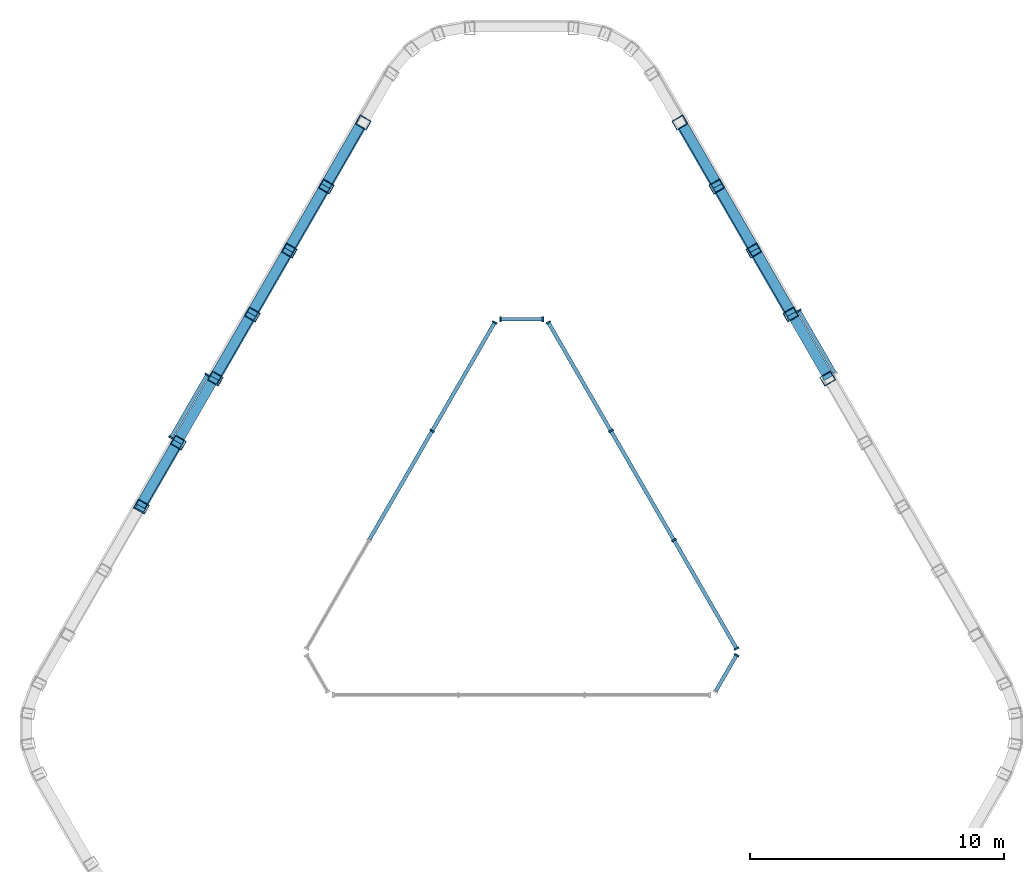
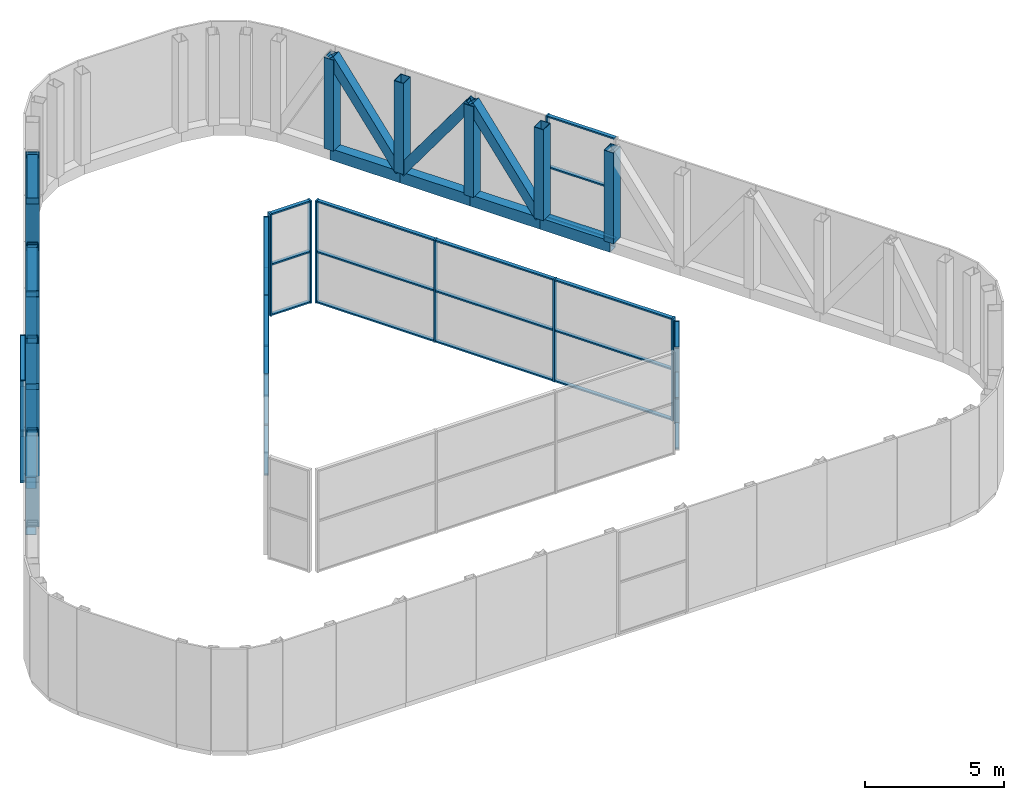
# One storey, part 2 of 5: 69 members, 6 elements without a shape of their own.
"""IFC4 building model written with IfcOpenShell, lengths in metres."""

from ifc_helpers import new_model, si_unit, direction, frame, origin, origin_2d, place, context, subcontext, project, spatial, rectangle, hollow_rectangle, extrude, material, layer, layer_set, material_profile, profile_set, type_object, element, aggregate, save


model = new_model("IFC4")

# Units and contexts
model_context = context("Model", 3, precision=1e-05, world=origin(), true_north=direction((0.0, 1.0)))
body_context = subcontext(model_context, "Body", "Model", "MODEL_VIEW")
ifc_project = project(units=[si_unit("LENGTHUNIT", "METRE"), si_unit("AREAUNIT", "SQUARE_METRE"), si_unit("VOLUMEUNIT", "CUBIC_METRE"), si_unit("PLANEANGLEUNIT", "RADIAN"), si_unit("MASSUNIT", "GRAM", prefix="KILO")], contexts=[model_context])

# Site, building, storey
site_placement = place(None, origin())
site = spatial("IfcSite", under=ifc_project, at=site_placement, CompositionType="ELEMENT")
building_placement = place(site_placement, origin())
building = spatial("IfcBuilding", under=site, at=building_placement, Name="Apuvela Tower Hotel", CompositionType="ELEMENT")
storey_placement = place(building_placement, frame((0.0, 0.0, 362.300048828125)))
storey = spatial("IfcBuildingStorey", under=building, at=storey_placement, Name="R-5 ROOF", CompositionType="ELEMENT", Elevation=362.300048828125)

# Members
ifc_material_1 = material(Name="Steel S355, black paint system", Category="steel")
ifc_material_profile_1 = material_profile(ifc_material_1, hollow_rectangle(XDim=0.39990234375, YDim=0.39990234375, WallThickness=0.01611328125, at=origin_2d()), Name="HSS 400x400x16")
ifc_profile_set_1 = profile_set([ifc_material_profile_1], Name="Steel S355, black paint system")
member_type_1 = type_object("IfcMemberType", Name="ENV-CROWN-BRACE-400x400", PredefinedType="BRACE", material=ifc_profile_set_1)
for number, where, z_axis, x_axis, name in (
    (1, (-7.6923828125, 14.528564453125, 0.25), (0.294239887517, 0.50972631864, 0.808456534811), (-0.866062731661, 0.499935340648, 0.0), "Crown frame brace 8"),
    (2, (-7.6923828125, 14.528564453125, 0.25), (-0.294292360305, -0.509682392621, 0.808465129315), (0.866005469285, -0.500034525977, 0.0), "Crown frame brace 9"),
    (3, (-10.6044921875, 9.485107421875, 0.25), (0.294292360305, 0.509682392621, 0.808465129315), (-0.866005469285, 0.500034525977, 0.0), "Crown frame brace 10"),
    (4, (-10.6044921875, 9.485107421875, 0.25), (-0.294239887517, -0.50972631864, 0.808456534811), (0.866062731661, -0.499935340648, 0.0), "Crown frame brace 11"),
    (5, (-13.516357421875, 4.441162109375, 0.25), (-0.294292360305, -0.509682392621, 0.808465129315), (0.866005469285, -0.500034525977, 0.0), "Crown frame brace 13"),
    (6, (10.6044921875, 9.485107421875, 0.25), (-0.294292360305, 0.509682392621, 0.808465129315), (-0.866005469285, -0.500034525977, 0.0), "Crown frame brace 47"),
    (7, (7.6923828125, 14.528564453125, 0.25), (0.294292360305, -0.509682392621, 0.808465129315), (0.866005469285, 0.500034525977, 0.0), "Crown frame brace 48"),
    (8, (7.6923828125, 14.528564453125, 0.25), (-0.294239887517, 0.50972631864, 0.808456534811), (-0.866062731661, -0.499935340648, 0.0), "Crown frame brace 49"),
):
    element("IfcMember", number, at=place(storey_placement, frame(where, z_axis=z_axis, x_axis=x_axis)), inside=storey, type_object=member_type_1, Name=name, PredefinedType="BRACE", context=body_context, shape_type="SweptSolid", body=[
        extrude(hollow_rectangle(XDim=0.39990234375, YDim=0.39990234375, WallThickness=0.01611328125, at=origin_2d()), origin(), (0.0, 0.0, 1.0), 4.94775390625),
    ])
ifc_material_profile_2 = material_profile(ifc_material_1, hollow_rectangle(XDim=0.39990234375, YDim=0.5, WallThickness=0.02001953125, at=origin_2d()), Name="HSS 500x400x20")
ifc_profile_set_2 = profile_set([ifc_material_profile_2], Name="Steel S355, black paint system")
member_type_2 = type_object("IfcMemberType", Name="ENV-CROWN-POST-500x400", PredefinedType="POST", material=ifc_profile_set_2)
for number, where, z_axis, x_axis, name in (
    (9, (-6.236572265625, 17.050537109375, 0.25), (0.0, 0.0, 1.0), (-0.5, -0.866025403784, 0.0), "Crown frame post 8"),
    (10, (-7.6923828125, 14.528564453125, 0.25), (0.0, 0.0, 1.0), (-0.5, -0.866025403784, 0.0), "Crown frame post 9"),
    (11, (-9.1484375, 12.0068359375, 0.25), (0.0, 0.0, 1.0), (-0.5, -0.866025403784, 0.0), "Crown frame post 10"),
    (12, (-10.6044921875, 9.485107421875, 0.25), (0.0, 0.0, 1.0), (-0.5, -0.866025403784, 0.0), "Crown frame post 11"),
    (13, (-12.060302734375, 6.963134765625, 0.25), (0.0, 0.0, 1.0), (-0.5, -0.866025403784, 0.0), "Crown frame post 12"),
    (14, (-13.516357421875, 4.441162109375, 0.25), (0.0, 0.0, 1.0), (-0.5, -0.866025403784, 0.0), "Crown frame post 13"),
    (15, (-14.972412109375, 1.91943359375, 0.25), (0.0, 0.0, 1.0), (-0.5, -0.866025403784, 0.0), "Crown frame post 14"),
    (16, (12.060302734375, 6.963134765625, 0.25), (0.0, 0.0, 1.0), (-0.5, 0.866025403784, 0.0), "Crown frame post 46"),
    (17, (10.6044921875, 9.485107421875, 0.25), (0.0, 0.0, 1.0), (-0.5, 0.866025403784, 0.0), "Crown frame post 47"),
    (18, (9.1484375, 12.0068359375, 0.25), (0.0, 0.0, 1.0), (-0.5, 0.866025403784, 0.0), "Crown frame post 48"),
    (19, (7.6923828125, 14.528564453125, 0.25), (0.0, 0.0, 1.0), (-0.5, 0.866025403784, 0.0), "Crown frame post 49"),
    (20, (6.236572265625, 17.050537109375, 0.25), (0.0, 0.0, 1.0), (-0.5, 0.866025403784, 0.0), "Crown frame post 50"),
):
    element("IfcMember", number, at=place(storey_placement, frame(where, z_axis=z_axis, x_axis=x_axis)), inside=storey, type_object=member_type_2, Name=name, PredefinedType="POST", context=body_context, shape_type="SweptSolid", body=[
        extrude(hollow_rectangle(XDim=0.39990234375, YDim=0.5, WallThickness=0.02001953125, at=origin_2d()), origin(), (0.0, 0.0, 1.0), 4.0),
    ])
ifc_material_profile_3 = material_profile(ifc_material_1, hollow_rectangle(XDim=0.39990234375, YDim=0.5, WallThickness=0.01611328125, at=origin_2d()), Name="HSS 500x400x16")
ifc_profile_set_3 = profile_set([ifc_material_profile_3], Name="Steel S355, black paint system")
member_type_3 = type_object("IfcMemberType", Name="ENV-CROWN-RING-500x400", PredefinedType="STRINGER", material=ifc_profile_set_3)
member_1_placement = place(storey_placement, frame((-6.27783203125, 17.07861328125, 0.0), z_axis=(-0.500015065024, -0.866016705814, 0.0), x_axis=(0.866016705814, -0.500015065024, 0.0)))
element("IfcMember", 21, at=member_1_placement, inside=storey, type_object=member_type_3, Name="Crown frame ring beam 5.8", PredefinedType="STRINGER", context=body_context, shape_type="SweptSolid", body=[
    extrude(hollow_rectangle(XDim=0.39990234375, YDim=0.5, WallThickness=0.01611328125, at=origin_2d()), origin(), (0.0, 0.0, 1.0), 2.9130859375),
])
for number, where, z_axis, x_axis, name in (
    (22, (-7.734375, 14.555908203125, 0.0), (-0.500051359076, -0.865995749577, 0.0), (0.865995749577, -0.500051359076, 0.0), "Crown frame ring beam 5.9"),
    (23, (-9.19091796875, 12.033447265625, 0.0), (-0.499952204256, -0.866052996912, 0.0), (0.866052996912, -0.499952204256, 0.0), "Crown frame ring beam 5.10"),
):
    element("IfcMember", number, at=place(storey_placement, frame(where, z_axis=z_axis, x_axis=x_axis)), inside=storey, type_object=member_type_3, Name=name, PredefinedType="STRINGER", context=body_context, shape_type="SweptSolid", body=[
        extrude(hollow_rectangle(XDim=0.39990234375, YDim=0.5, WallThickness=0.01611328125, at=origin_2d()), origin(), (0.0, 0.0, 1.0), 2.912841796875),
    ])
for number, where, z_axis, x_axis, name in (
    (24, (-10.647216796875, 9.5107421875, 0.0), (-0.500015065024, -0.866016705814, 0.0), (0.866016705814, -0.500015065024, 0.0), "Crown frame ring beam 5.11"),
    (25, (-12.103759765625, 6.988037109375, 0.0), (-0.500015065024, -0.866016705814, 0.0), (0.866016705814, -0.500015065024, 0.0), "Crown frame ring beam 5.12"),
):
    element("IfcMember", number, at=place(storey_placement, frame(where, z_axis=z_axis, x_axis=x_axis)), inside=storey, type_object=member_type_3, Name=name, PredefinedType="STRINGER", context=body_context, shape_type="SweptSolid", body=[
        extrude(hollow_rectangle(XDim=0.39990234375, YDim=0.5, WallThickness=0.01611328125, at=origin_2d()), origin(), (0.0, 0.0, 1.0), 2.9130859375),
    ])
member_2_placement = place(storey_placement, frame((-13.560302734375, 4.46533203125, 0.0), z_axis=(-0.499988496788, -0.866032045065, 0.0), x_axis=(0.866032045065, -0.499988496788, 0.0)))
element("IfcMember", 26, at=member_2_placement, inside=storey, type_object=member_type_3, Name="Crown frame ring beam 5.13", PredefinedType="STRINGER", context=body_context, shape_type="SweptSolid", body=[
    extrude(hollow_rectangle(XDim=0.39990234375, YDim=0.5, WallThickness=0.01611328125, at=origin_2d()), origin(), (0.0, 0.0, 1.0), 2.91259765625),
])
member_3_placement = place(storey_placement, frame((12.103759765625, 6.988037109375, 0.0), z_axis=(-0.500015065024, 0.866016705814, 0.0), x_axis=(-0.866016705814, -0.500015065024, 0.0)))
element("IfcMember", 27, at=member_3_placement, inside=storey, type_object=member_type_3, Name="Crown frame ring beam 5.46", PredefinedType="STRINGER", context=body_context, shape_type="SweptSolid", body=[
    extrude(hollow_rectangle(XDim=0.39990234375, YDim=0.5, WallThickness=0.01611328125, at=origin_2d()), origin(), (0.0, 0.0, 1.0), 2.9130859375),
])
for number, where, z_axis, x_axis, name in (
    (28, (10.647216796875, 9.5107421875, 0.0), (-0.499952204256, 0.866052996912, 0.0), (-0.866052996912, -0.499952204256, 0.0), "Crown frame ring beam 5.47"),
    (29, (9.19091796875, 12.033447265625, 0.0), (-0.500051359076, 0.865995749577, 0.0), (-0.865995749577, -0.500051359076, 0.0), "Crown frame ring beam 5.48"),
):
    element("IfcMember", number, at=place(storey_placement, frame(where, z_axis=z_axis, x_axis=x_axis)), inside=storey, type_object=member_type_3, Name=name, PredefinedType="STRINGER", context=body_context, shape_type="SweptSolid", body=[
        extrude(hollow_rectangle(XDim=0.39990234375, YDim=0.5, WallThickness=0.01611328125, at=origin_2d()), origin(), (0.0, 0.0, 1.0), 2.912841796875),
    ])
member_4_placement = place(storey_placement, frame((7.734375, 14.555908203125, 0.0), z_axis=(-0.500015065024, 0.866016705814, 0.0), x_axis=(-0.866016705814, -0.500015065024, 0.0)))
element("IfcMember", 30, at=member_4_placement, inside=storey, type_object=member_type_3, Name="Crown frame ring beam 5.49", PredefinedType="STRINGER", context=body_context, shape_type="SweptSolid", body=[
    extrude(hollow_rectangle(XDim=0.39990234375, YDim=0.5, WallThickness=0.01611328125, at=origin_2d()), origin(), (0.0, 0.0, 1.0), 2.9130859375),
])

# Curtain wall, members
ifc_material_2 = material(Name="Aluminium 6063-T6, dark bronze anodised", Category="aluminium")
ifc_layer_1 = layer(ifc_material_2, 0.199951171875)
ifc_layer_set_1 = layer_set([ifc_layer_1], Name="ENV-CW-C")
curtain_wall_type_1 = type_object("IfcCurtainWallType", Name="ENV-CW-C", PredefinedType="NOTDEFINED", material=ifc_layer_set_1)
curtain_wall_1_placement = place(storey_placement, origin())
curtain_wall_1 = element("IfcCurtainWall", 31, at=curtain_wall_1_placement, inside=storey, type_object=curtain_wall_type_1, Name="Crown glazing 12 R-5 ROOF", PredefinedType="NOTDEFINED")
ifc_material_profile_4 = material_profile(ifc_material_2, rectangle(XDim=0.199951171875, YDim=0.06494140625, at=origin_2d()), Name="AL 65x200")
ifc_profile_set_4 = profile_set([ifc_material_profile_4], Name="Aluminium 6063-T6, dark bronze anodised")
member_type_4 = type_object("IfcMemberType", Name="ENV-MULLION-65x200", PredefinedType="MULLION", material=ifc_profile_set_4)
member_5_placement = place(storey_placement, frame((-12.3798828125, 7.10986328125, 0.0), z_axis=(0.0, 0.0, 1.0), x_axis=(0.866036603266, -0.499980601426, 0.0)))
member_5 = element("IfcMember", 32, at=member_5_placement, type_object=member_type_4, Name="CW-C mullion 1", PredefinedType="MULLION", context=body_context, shape_type="SweptSolid", body=[
    extrude(rectangle(XDim=0.199951171875, YDim=0.06494140625, at=origin_2d()), origin(), (0.0, 0.0, 1.0), 4.5),
])
member_6_placement = place(storey_placement, frame((-13.805908203125, 4.6396484375, 0.0), z_axis=(0.0, 0.0, 1.0), x_axis=(0.866036603266, -0.499980601426, 0.0)))
member_6 = element("IfcMember", 33, at=member_6_placement, type_object=member_type_4, Name="CW-C mullion 2", PredefinedType="MULLION", context=body_context, shape_type="SweptSolid", body=[
    extrude(rectangle(XDim=0.199951171875, YDim=0.06494140625, at=origin_2d()), origin(), (0.0, 0.0, 1.0), 4.5),
])

# Curtain wall, member
curtain_wall_2_placement = place(storey_placement, origin())
curtain_wall_2 = element("IfcCurtainWall", 34, at=curtain_wall_2_placement, inside=storey, type_object=curtain_wall_type_1, Name="Crown glazing 46 R-5 ROOF", PredefinedType="NOTDEFINED")
member_7_placement = place(storey_placement, frame((10.921142578125, 9.636474609375, 0.0), z_axis=(0.0, 0.0, 1.0), x_axis=(-0.866021760657, -0.500006310028, 0.0)))
member_7 = element("IfcMember", 35, at=member_7_placement, type_object=member_type_4, Name="CW-C mullion 2", PredefinedType="MULLION", context=body_context, shape_type="SweptSolid", body=[
    extrude(rectangle(XDim=0.199951171875, YDim=0.06494140625, at=origin_2d()), origin(), (0.0, 0.0, 1.0), 4.5),
])

# Curtain wall, members
ifc_layer_2 = layer(ifc_material_2, 0.199951171875)
ifc_layer_set_2 = layer_set([ifc_layer_2], Name="ENV-CW-A")
curtain_wall_type_2 = type_object("IfcCurtainWallType", Name="ENV-CW-A", PredefinedType="NOTDEFINED", material=ifc_layer_set_2)
curtain_wall_3_placement = place(storey_placement, origin())
curtain_wall_3 = element("IfcCurtainWall", 36, at=curtain_wall_3_placement, inside=storey, type_object=curtain_wall_type_2, Name="Atrium glazing 1 R-5 ROOF", PredefinedType="NOTDEFINED")
member_8_placement = place(storey_placement, frame((0.83349609375, 9.300048828125, 0.0), z_axis=(0.0, 0.0, 1.0), x_axis=(0.0, -1.0, 0.0)))
member_8 = element("IfcMember", 37, at=member_8_placement, type_object=member_type_4, Name="CW-A mullion 1", PredefinedType="MULLION", context=body_context, shape_type="SweptSolid", body=[
    extrude(rectangle(XDim=0.199951171875, YDim=0.06494140625, at=origin_2d()), origin(), (0.0, 0.0, 1.0), 4.5),
])
member_9_placement = place(storey_placement, frame((-0.83349609375, 9.300048828125, 0.0), z_axis=(0.0, 0.0, 1.0), x_axis=(0.0, -1.0, 0.0)))
member_9 = element("IfcMember", 38, at=member_9_placement, type_object=member_type_4, Name="CW-A mullion 2", PredefinedType="MULLION", context=body_context, shape_type="SweptSolid", body=[
    extrude(rectangle(XDim=0.199951171875, YDim=0.06494140625, at=origin_2d()), origin(), (0.0, 0.0, 1.0), 4.5),
])

curtain_wall_4_placement = place(storey_placement, origin())
curtain_wall_4 = element("IfcCurtainWall", 39, at=curtain_wall_4_placement, inside=storey, type_object=curtain_wall_type_2, Name="Atrium glazing 2 R-5 ROOF", PredefinedType="NOTDEFINED")
member_10_placement = place(storey_placement, frame((-1.055419921875, 9.171875, 0.0), z_axis=(0.0, 0.0, 1.0), x_axis=(0.866025940778, -0.499999069899, 0.0)))
member_10 = element("IfcMember", 40, at=member_10_placement, type_object=member_type_4, Name="CW-A mullion 1", PredefinedType="MULLION", context=body_context, shape_type="SweptSolid", body=[
    extrude(rectangle(XDim=0.199951171875, YDim=0.06494140625, at=origin_2d()), origin(), (0.0, 0.0, 1.0), 4.5),
])
member_11_placement = place(storey_placement, frame((-3.521728515625, 4.89990234375, 0.0), z_axis=(0.0, 0.0, 1.0), x_axis=(0.866025940778, -0.499999069899, 0.0)))
member_11 = element("IfcMember", 41, at=member_11_placement, type_object=member_type_4, Name="CW-A mullion 2", PredefinedType="MULLION", context=body_context, shape_type="SweptSolid", body=[
    extrude(rectangle(XDim=0.199951171875, YDim=0.06494140625, at=origin_2d()), origin(), (0.0, 0.0, 1.0), 4.5),
])

# Curtain wall, member
curtain_wall_5_placement = place(storey_placement, origin())
curtain_wall_5 = element("IfcCurtainWall", 42, at=curtain_wall_5_placement, inside=storey, type_object=curtain_wall_type_2, Name="Atrium glazing 5 R-5 ROOF", PredefinedType="NOTDEFINED")
member_12_placement = place(storey_placement, frame((8.470703125, -3.92822265625, 0.0), z_axis=(0.0, 0.0, 1.0), x_axis=(-0.866031754706, 0.49998899972, 0.0)))
member_12 = element("IfcMember", 43, at=member_12_placement, type_object=member_type_4, Name="CW-A mullion 2", PredefinedType="MULLION", context=body_context, shape_type="SweptSolid", body=[
    extrude(rectangle(XDim=0.199951171875, YDim=0.06494140625, at=origin_2d()), origin(), (0.0, 0.0, 1.0), 4.5),
])

# Curtain wall, members
curtain_wall_6_placement = place(storey_placement, origin())
curtain_wall_6 = element("IfcCurtainWall", 44, at=curtain_wall_6_placement, inside=storey, type_object=curtain_wall_type_2, Name="Atrium glazing 6 R-5 ROOF", PredefinedType="NOTDEFINED")
member_13_placement = place(storey_placement, frame((8.470703125, -3.671875, 0.0), z_axis=(0.0, 0.0, 1.0), x_axis=(-0.866025940778, -0.499999069899, 0.0)))
member_13 = element("IfcMember", 45, at=member_13_placement, type_object=member_type_4, Name="CW-A mullion 1", PredefinedType="MULLION", context=body_context, shape_type="SweptSolid", body=[
    extrude(rectangle(XDim=0.199951171875, YDim=0.06494140625, at=origin_2d()), origin(), (0.0, 0.0, 1.0), 4.5),
])
member_14_placement = place(storey_placement, frame((6.00439453125, 0.60009765625, 0.0), z_axis=(0.0, 0.0, 1.0), x_axis=(-0.866025940778, -0.499999069899, 0.0)))
member_14 = element("IfcMember", 46, at=member_14_placement, type_object=member_type_4, Name="CW-A mullion 2", PredefinedType="MULLION", context=body_context, shape_type="SweptSolid", body=[
    extrude(rectangle(XDim=0.199951171875, YDim=0.06494140625, at=origin_2d()), origin(), (0.0, 0.0, 1.0), 4.5),
])
member_15_placement = place(storey_placement, frame((3.521728515625, 4.89990234375, 0.0), z_axis=(0.0, 0.0, 1.0), x_axis=(-0.866025940778, -0.499999069899, 0.0)))
member_15 = element("IfcMember", 47, at=member_15_placement, type_object=member_type_4, Name="CW-A mullion 3", PredefinedType="MULLION", context=body_context, shape_type="SweptSolid", body=[
    extrude(rectangle(XDim=0.199951171875, YDim=0.06494140625, at=origin_2d()), origin(), (0.0, 0.0, 1.0), 4.5),
])
member_16_placement = place(storey_placement, frame((1.055419921875, 9.171875, 0.0), z_axis=(0.0, 0.0, 1.0), x_axis=(-0.866025940778, -0.499999069899, 0.0)))
member_16 = element("IfcMember", 48, at=member_16_placement, type_object=member_type_4, Name="CW-A mullion 4", PredefinedType="MULLION", context=body_context, shape_type="SweptSolid", body=[
    extrude(rectangle(XDim=0.199951171875, YDim=0.06494140625, at=origin_2d()), origin(), (0.0, 0.0, 1.0), 4.5),
])

# Member
ifc_material_profile_5 = material_profile(ifc_material_2, rectangle(XDim=0.14990234375, YDim=0.06494140625, at=origin_2d()), Name="AL 65x150 transom")
ifc_profile_set_5 = profile_set([ifc_material_profile_5], Name="Aluminium 6063-T6, dark bronze anodised")
member_type_5 = type_object("IfcMemberType", Name="ENV-TRANSOM-65x150", PredefinedType="USERDEFINED", material=ifc_profile_set_5)
member_17_placement = place(storey_placement, frame((-12.39599609375, 7.081787109375, 0.032470703125), z_axis=(-0.500048472683, -0.865997416259, 0.0), x_axis=(0.865997416259, -0.500048472683, 0.0)))
member_17 = element("IfcMember", 49, at=member_17_placement, type_object=member_type_5, Name="CW-C transom 1.1", ObjectType="TRANSOM", PredefinedType="USERDEFINED", context=body_context, shape_type="SweptSolid", body=[
    extrude(rectangle(XDim=0.14990234375, YDim=0.06494140625, at=origin_2d()), origin(), (0.0, 0.0, 1.0), 2.787353515625),
])

member_18_placement = place(storey_placement, frame((-12.39599609375, 7.081787109375, 2.25), z_axis=(-0.500048472683, -0.865997416259, 0.0), x_axis=(0.865997416259, -0.500048472683, 0.0)))
member_18 = element("IfcMember", 50, at=member_18_placement, type_object=member_type_5, Name="CW-C transom 1.2", ObjectType="TRANSOM", PredefinedType="USERDEFINED", context=body_context, shape_type="SweptSolid", body=[
    extrude(rectangle(XDim=0.14990234375, YDim=0.06494140625, at=origin_2d()), origin(), (0.0, 0.0, 1.0), 2.787353515625),
])

member_19_placement = place(storey_placement, frame((-12.39599609375, 7.081787109375, 4.467529296875), z_axis=(-0.500048472683, -0.865997416259, 0.0), x_axis=(0.865997416259, -0.500048472683, 0.0)))
member_19 = element("IfcMember", 51, at=member_19_placement, type_object=member_type_5, Name="CW-C transom 1.3", ObjectType="TRANSOM", PredefinedType="USERDEFINED", context=body_context, shape_type="SweptSolid", body=[
    extrude(rectangle(XDim=0.14990234375, YDim=0.06494140625, at=origin_2d()), origin(), (0.0, 0.0, 1.0), 2.787353515625),
])

aggregate(curtain_wall_1, [member_5, member_6, member_17, member_18, member_19])

member_20_placement = place(storey_placement, frame((12.3310546875, 7.1943359375, 0.032470703125), z_axis=(-0.499944854726, 0.866057239582, 0.0), x_axis=(-0.866057239582, -0.499944854726, 0.0)))
member_20 = element("IfcMember", 52, at=member_20_placement, type_object=member_type_5, Name="CW-C transom 1.1", ObjectType="TRANSOM", PredefinedType="USERDEFINED", context=body_context, shape_type="SweptSolid", body=[
    extrude(rectangle(XDim=0.14990234375, YDim=0.06494140625, at=origin_2d()), origin(), (0.0, 0.0, 1.0), 2.787353515625),
])

member_21_placement = place(storey_placement, frame((12.3310546875, 7.1943359375, 2.25), z_axis=(-0.499944854726, 0.866057239582, 0.0), x_axis=(-0.866057239582, -0.499944854726, 0.0)))
member_21 = element("IfcMember", 53, at=member_21_placement, type_object=member_type_5, Name="CW-C transom 1.2", ObjectType="TRANSOM", PredefinedType="USERDEFINED", context=body_context, shape_type="SweptSolid", body=[
    extrude(rectangle(XDim=0.14990234375, YDim=0.06494140625, at=origin_2d()), origin(), (0.0, 0.0, 1.0), 2.787353515625),
])

member_22_placement = place(storey_placement, frame((12.3310546875, 7.1943359375, 4.467529296875), z_axis=(-0.499944854726, 0.866057239582, 0.0), x_axis=(-0.866057239582, -0.499944854726, 0.0)))
member_22 = element("IfcMember", 54, at=member_22_placement, type_object=member_type_5, Name="CW-C transom 1.3", ObjectType="TRANSOM", PredefinedType="USERDEFINED", context=body_context, shape_type="SweptSolid", body=[
    extrude(rectangle(XDim=0.14990234375, YDim=0.06494140625, at=origin_2d()), origin(), (0.0, 0.0, 1.0), 2.787353515625),
])

aggregate(curtain_wall_2, [member_7, member_20, member_21, member_22])

member_23_placement = place(storey_placement, frame((0.801025390625, 9.300048828125, 0.032470703125), z_axis=(-1.0, 0.0, 0.0), x_axis=(0.0, -1.0, 0.0)))
member_23 = element("IfcMember", 55, at=member_23_placement, type_object=member_type_5, Name="CW-A transom 1.1", ObjectType="TRANSOM", PredefinedType="USERDEFINED", context=body_context, shape_type="SweptSolid", body=[
    extrude(rectangle(XDim=0.14990234375, YDim=0.06494140625, at=origin_2d()), origin(), (0.0, 0.0, 1.0), 1.60205078125),
])

member_24_placement = place(storey_placement, frame((0.801025390625, 9.300048828125, 2.25), z_axis=(-1.0, 0.0, 0.0), x_axis=(0.0, -1.0, 0.0)))
member_24 = element("IfcMember", 56, at=member_24_placement, type_object=member_type_5, Name="CW-A transom 1.2", ObjectType="TRANSOM", PredefinedType="USERDEFINED", context=body_context, shape_type="SweptSolid", body=[
    extrude(rectangle(XDim=0.14990234375, YDim=0.06494140625, at=origin_2d()), origin(), (0.0, 0.0, 1.0), 1.60205078125),
])

member_25_placement = place(storey_placement, frame((0.801025390625, 9.300048828125, 4.467529296875), z_axis=(-1.0, 0.0, 0.0), x_axis=(0.0, -1.0, 0.0)))
member_25 = element("IfcMember", 57, at=member_25_placement, type_object=member_type_5, Name="CW-A transom 1.3", ObjectType="TRANSOM", PredefinedType="USERDEFINED", context=body_context, shape_type="SweptSolid", body=[
    extrude(rectangle(XDim=0.14990234375, YDim=0.06494140625, at=origin_2d()), origin(), (0.0, 0.0, 1.0), 1.60205078125),
])

aggregate(curtain_wall_3, [member_8, member_9, member_23, member_24, member_25])

member_26_placement = place(storey_placement, frame((-1.07177734375, 9.143798828125, 0.032470703125), z_axis=(-0.49999597136, -0.866027729709, 0.0), x_axis=(0.866027729709, -0.49999597136, 0.0)))
member_26 = element("IfcMember", 58, at=member_26_placement, type_object=member_type_5, Name="CW-A transom 1.1", ObjectType="TRANSOM", PredefinedType="USERDEFINED", context=body_context, shape_type="SweptSolid", body=[
    extrude(rectangle(XDim=0.14990234375, YDim=0.06494140625, at=origin_2d()), origin(), (0.0, 0.0, 1.0), 4.86767578125),
])

member_27_placement = place(storey_placement, frame((-1.07177734375, 9.143798828125, 2.25), z_axis=(-0.49999597136, -0.866027729709, 0.0), x_axis=(0.866027729709, -0.49999597136, 0.0)))
member_27 = element("IfcMember", 59, at=member_27_placement, type_object=member_type_5, Name="CW-A transom 1.2", ObjectType="TRANSOM", PredefinedType="USERDEFINED", context=body_context, shape_type="SweptSolid", body=[
    extrude(rectangle(XDim=0.14990234375, YDim=0.06494140625, at=origin_2d()), origin(), (0.0, 0.0, 1.0), 4.86767578125),
])

member_28_placement = place(storey_placement, frame((-1.07177734375, 9.143798828125, 4.467529296875), z_axis=(-0.49999597136, -0.866027729709, 0.0), x_axis=(0.866027729709, -0.49999597136, 0.0)))
member_28 = element("IfcMember", 60, at=member_28_placement, type_object=member_type_5, Name="CW-A transom 1.3", ObjectType="TRANSOM", PredefinedType="USERDEFINED", context=body_context, shape_type="SweptSolid", body=[
    extrude(rectangle(XDim=0.14990234375, YDim=0.06494140625, at=origin_2d()), origin(), (0.0, 0.0, 1.0), 4.86767578125),
])

member_29_placement = place(storey_placement, frame((-3.5380859375, 4.871826171875, 0.032470703125), z_axis=(-0.49998122708, -0.866036242063, 0.0), x_axis=(0.866036242063, -0.49998122708, 0.0)))
member_29 = element("IfcMember", 61, at=member_29_placement, type_object=member_type_5, Name="CW-A transom 2.1", ObjectType="TRANSOM", PredefinedType="USERDEFINED", context=body_context, shape_type="SweptSolid", body=[
    extrude(rectangle(XDim=0.14990234375, YDim=0.06494140625, at=origin_2d()), origin(), (0.0, 0.0, 1.0), 4.900146484375),
])

member_30_placement = place(storey_placement, frame((-3.5380859375, 4.871826171875, 2.25), z_axis=(-0.49998122708, -0.866036242063, 0.0), x_axis=(0.866036242063, -0.49998122708, 0.0)))
member_30 = element("IfcMember", 62, at=member_30_placement, type_object=member_type_5, Name="CW-A transom 2.2", ObjectType="TRANSOM", PredefinedType="USERDEFINED", context=body_context, shape_type="SweptSolid", body=[
    extrude(rectangle(XDim=0.14990234375, YDim=0.06494140625, at=origin_2d()), origin(), (0.0, 0.0, 1.0), 4.900146484375),
])

member_31_placement = place(storey_placement, frame((-3.5380859375, 4.871826171875, 4.467529296875), z_axis=(-0.49998122708, -0.866036242063, 0.0), x_axis=(0.866036242063, -0.49998122708, 0.0)))
member_31 = element("IfcMember", 63, at=member_31_placement, type_object=member_type_5, Name="CW-A transom 2.3", ObjectType="TRANSOM", PredefinedType="USERDEFINED", context=body_context, shape_type="SweptSolid", body=[
    extrude(rectangle(XDim=0.14990234375, YDim=0.06494140625, at=origin_2d()), origin(), (0.0, 0.0, 1.0), 4.900146484375),
])

aggregate(curtain_wall_4, [member_10, member_11, member_26, member_27, member_28, member_29, member_30, member_31])

member_32_placement = place(storey_placement, frame((7.653564453125, -5.34375, 0.032470703125), z_axis=(0.499990676028, 0.866030786915, 0.0), x_axis=(-0.866030786915, 0.499990676028, 0.0)))
member_32 = element("IfcMember", 64, at=member_32_placement, type_object=member_type_5, Name="CW-A transom 1.1", ObjectType="TRANSOM", PredefinedType="USERDEFINED", context=body_context, shape_type="SweptSolid", body=[
    extrude(rectangle(XDim=0.14990234375, YDim=0.06494140625, at=origin_2d()), origin(), (0.0, 0.0, 1.0), 1.60205078125),
])

member_33_placement = place(storey_placement, frame((7.653564453125, -5.34375, 2.25), z_axis=(0.499990676028, 0.866030786915, 0.0), x_axis=(-0.866030786915, 0.499990676028, 0.0)))
member_33 = element("IfcMember", 65, at=member_33_placement, type_object=member_type_5, Name="CW-A transom 1.2", ObjectType="TRANSOM", PredefinedType="USERDEFINED", context=body_context, shape_type="SweptSolid", body=[
    extrude(rectangle(XDim=0.14990234375, YDim=0.06494140625, at=origin_2d()), origin(), (0.0, 0.0, 1.0), 1.60205078125),
])

member_34_placement = place(storey_placement, frame((7.653564453125, -5.34375, 4.467529296875), z_axis=(0.499990676028, 0.866030786915, 0.0), x_axis=(-0.866030786915, 0.499990676028, 0.0)))
member_34 = element("IfcMember", 66, at=member_34_placement, type_object=member_type_5, Name="CW-A transom 1.3", ObjectType="TRANSOM", PredefinedType="USERDEFINED", context=body_context, shape_type="SweptSolid", body=[
    extrude(rectangle(XDim=0.14990234375, YDim=0.06494140625, at=origin_2d()), origin(), (0.0, 0.0, 1.0), 1.60205078125),
])

aggregate(curtain_wall_5, [member_12, member_32, member_33, member_34])

member_35_placement = place(storey_placement, frame((8.45458984375, -3.643798828125, 0.032470703125), z_axis=(-0.49999597136, 0.866027729709, 0.0), x_axis=(-0.866027729709, -0.49999597136, 0.0)))
member_35 = element("IfcMember", 67, at=member_35_placement, type_object=member_type_5, Name="CW-A transom 1.1", ObjectType="TRANSOM", PredefinedType="USERDEFINED", context=body_context, shape_type="SweptSolid", body=[
    extrude(rectangle(XDim=0.14990234375, YDim=0.06494140625, at=origin_2d()), origin(), (0.0, 0.0, 1.0), 4.86767578125),
])

member_36_placement = place(storey_placement, frame((8.45458984375, -3.643798828125, 2.25), z_axis=(-0.49999597136, 0.866027729709, 0.0), x_axis=(-0.866027729709, -0.49999597136, 0.0)))
member_36 = element("IfcMember", 68, at=member_36_placement, type_object=member_type_5, Name="CW-A transom 1.2", ObjectType="TRANSOM", PredefinedType="USERDEFINED", context=body_context, shape_type="SweptSolid", body=[
    extrude(rectangle(XDim=0.14990234375, YDim=0.06494140625, at=origin_2d()), origin(), (0.0, 0.0, 1.0), 4.86767578125),
])

member_37_placement = place(storey_placement, frame((8.45458984375, -3.643798828125, 4.467529296875), z_axis=(-0.49999597136, 0.866027729709, 0.0), x_axis=(-0.866027729709, -0.49999597136, 0.0)))
member_37 = element("IfcMember", 69, at=member_37_placement, type_object=member_type_5, Name="CW-A transom 1.3", ObjectType="TRANSOM", PredefinedType="USERDEFINED", context=body_context, shape_type="SweptSolid", body=[
    extrude(rectangle(XDim=0.14990234375, YDim=0.06494140625, at=origin_2d()), origin(), (0.0, 0.0, 1.0), 4.86767578125),
])

member_38_placement = place(storey_placement, frame((5.988037109375, 0.628173828125, 0.032470703125), z_axis=(-0.49998122708, 0.866036242063, 0.0), x_axis=(-0.866036242063, -0.49998122708, 0.0)))
member_38 = element("IfcMember", 70, at=member_38_placement, type_object=member_type_5, Name="CW-A transom 2.1", ObjectType="TRANSOM", PredefinedType="USERDEFINED", context=body_context, shape_type="SweptSolid", body=[
    extrude(rectangle(XDim=0.14990234375, YDim=0.06494140625, at=origin_2d()), origin(), (0.0, 0.0, 1.0), 4.900146484375),
])

member_39_placement = place(storey_placement, frame((5.988037109375, 0.628173828125, 2.25), z_axis=(-0.49998122708, 0.866036242063, 0.0), x_axis=(-0.866036242063, -0.49998122708, 0.0)))
member_39 = element("IfcMember", 71, at=member_39_placement, type_object=member_type_5, Name="CW-A transom 2.2", ObjectType="TRANSOM", PredefinedType="USERDEFINED", context=body_context, shape_type="SweptSolid", body=[
    extrude(rectangle(XDim=0.14990234375, YDim=0.06494140625, at=origin_2d()), origin(), (0.0, 0.0, 1.0), 4.900146484375),
])

member_40_placement = place(storey_placement, frame((5.988037109375, 0.628173828125, 4.467529296875), z_axis=(-0.49998122708, 0.866036242063, 0.0), x_axis=(-0.866036242063, -0.49998122708, 0.0)))
member_40 = element("IfcMember", 72, at=member_40_placement, type_object=member_type_5, Name="CW-A transom 2.3", ObjectType="TRANSOM", PredefinedType="USERDEFINED", context=body_context, shape_type="SweptSolid", body=[
    extrude(rectangle(XDim=0.14990234375, YDim=0.06494140625, at=origin_2d()), origin(), (0.0, 0.0, 1.0), 4.900146484375),
])

member_41_placement = place(storey_placement, frame((3.505615234375, 4.92822265625, 0.032470703125), z_axis=(-0.49999597136, 0.866027729709, 0.0), x_axis=(-0.866027729709, -0.49999597136, 0.0)))
member_41 = element("IfcMember", 73, at=member_41_placement, type_object=member_type_5, Name="CW-A transom 3.1", ObjectType="TRANSOM", PredefinedType="USERDEFINED", context=body_context, shape_type="SweptSolid", body=[
    extrude(rectangle(XDim=0.14990234375, YDim=0.06494140625, at=origin_2d()), origin(), (0.0, 0.0, 1.0), 4.86767578125),
])

member_42_placement = place(storey_placement, frame((3.505615234375, 4.92822265625, 2.25), z_axis=(-0.49999597136, 0.866027729709, 0.0), x_axis=(-0.866027729709, -0.49999597136, 0.0)))
member_42 = element("IfcMember", 74, at=member_42_placement, type_object=member_type_5, Name="CW-A transom 3.2", ObjectType="TRANSOM", PredefinedType="USERDEFINED", context=body_context, shape_type="SweptSolid", body=[
    extrude(rectangle(XDim=0.14990234375, YDim=0.06494140625, at=origin_2d()), origin(), (0.0, 0.0, 1.0), 4.86767578125),
])

member_43_placement = place(storey_placement, frame((3.505615234375, 4.92822265625, 4.467529296875), z_axis=(-0.49999597136, 0.866027729709, 0.0), x_axis=(-0.866027729709, -0.49999597136, 0.0)))
member_43 = element("IfcMember", 75, at=member_43_placement, type_object=member_type_5, Name="CW-A transom 3.3", ObjectType="TRANSOM", PredefinedType="USERDEFINED", context=body_context, shape_type="SweptSolid", body=[
    extrude(rectangle(XDim=0.14990234375, YDim=0.06494140625, at=origin_2d()), origin(), (0.0, 0.0, 1.0), 4.86767578125),
])

aggregate(curtain_wall_6, [member_13, member_14, member_15, member_16, member_35, member_36, member_37, member_38, member_39, member_40, member_41, member_42, member_43])

save(model, "model.ifc")
